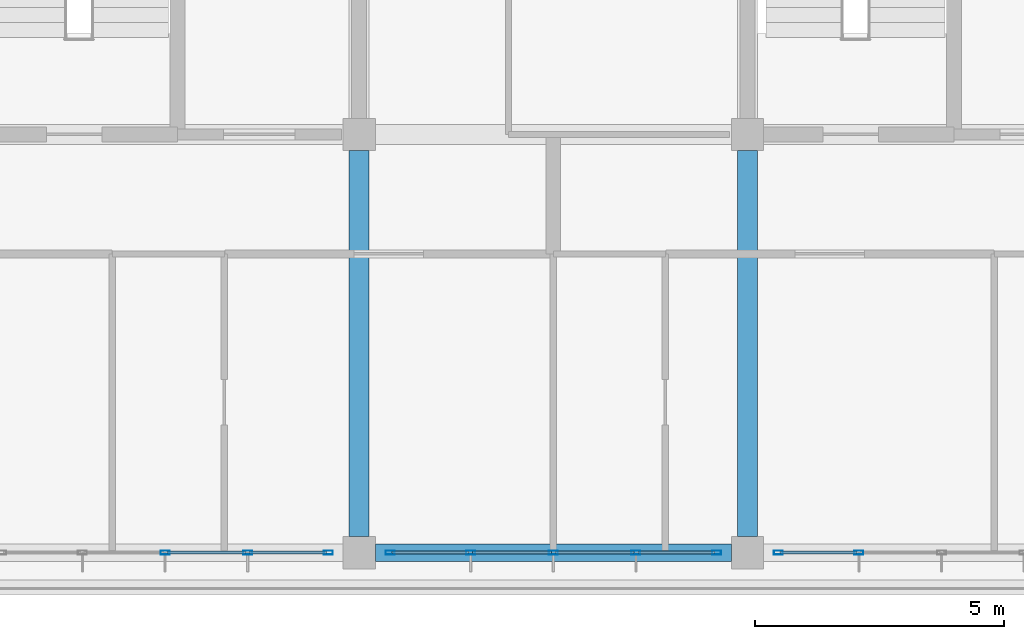
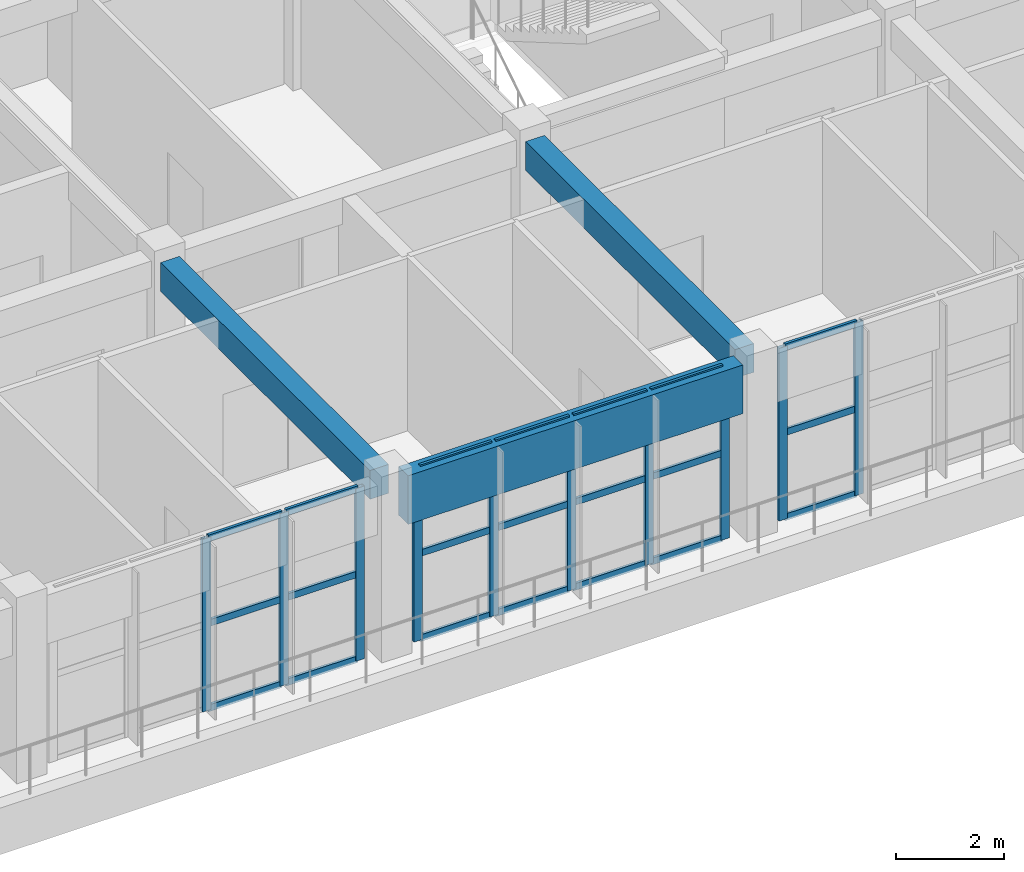
# One storey, part 15 of 57: 31 members, 3 beams, 3 elements without a shape of their own.
"""IFC4 building model written with IfcOpenShell, lengths in metres."""

from ifc_helpers import new_model, si_unit, direction, frame, origin, origin_2d, place, context, subcontext, project, spatial, rectangle, hollow_rectangle, extrude, material, layer, layer_set, material_profile, profile_set, type_object, element, aggregate, save


model = new_model("IFC4")

# Units and contexts
model_context = context("Model", 3, precision=1e-05, world=origin(), true_north=direction((0.0, 1.0)))
body_context = subcontext(model_context, "Body", "Model", "MODEL_VIEW")
ifc_project = project(units=[si_unit("LENGTHUNIT", "METRE"), si_unit("AREAUNIT", "SQUARE_METRE"), si_unit("VOLUMEUNIT", "CUBIC_METRE"), si_unit("PLANEANGLEUNIT", "RADIAN"), si_unit("MASSUNIT", "GRAM", prefix="KILO")], contexts=[model_context])

# Site, building, storey
site_placement = place(None, origin())
site = spatial("IfcSite", under=ifc_project, at=site_placement, CompositionType="ELEMENT")
building_placement = place(site_placement, origin())
building = spatial("IfcBuilding", under=site, at=building_placement, Name="Zizhar Promenade General Hospital", CompositionType="ELEMENT")
storey_placement = place(building_placement, frame((0.0, 0.0, 22.199951171875)))
storey = spatial("IfcBuildingStorey", under=building, at=storey_placement, Name="L05", CompositionType="ELEMENT", Elevation=22.199951171875)

# Beams
ifc_material_1 = material(Name="Precast concrete C40/50", Category="concrete")
ifc_material_profile_1 = material_profile(ifc_material_1, rectangle(XDim=0.35009765625, YDim=1.10009765625, at=origin_2d()))
ifc_profile_set_1 = profile_set([ifc_material_profile_1], Name="Precast concrete C40/50")
beam_type_1 = type_object("IfcBeamType", Name="BM-PC-BAND1100", PredefinedType="SPANDREL", material=ifc_profile_set_1)
beam_placement = place(storey_placement, frame((70.52490234375, 0.0, 3.360107421875), z_axis=(1.0, 0.0, 0.0), x_axis=(0.0, 1.0, 0.0)))
element("IfcBeam", 1, at=beam_placement, inside=storey, type_object=beam_type_1, Name="Grid Beam X L05 (9-0)", PredefinedType="SPANDREL", context=body_context, shape_type="SweptSolid", body=[
    extrude(rectangle(XDim=0.35009765625, YDim=1.10009765625, at=origin_2d()), origin(), (0.0, 0.0, 1.0), 7.150146484375),
])
ifc_material_2 = material(Name="Concrete C35/45", Category="concrete")
ifc_material_profile_2 = material_profile(ifc_material_2, rectangle(XDim=0.39990234375, YDim=0.64990234375, at=origin_2d()))
ifc_profile_set_2 = profile_set([ifc_material_profile_2], Name="Concrete C35/45")
beam_type_2 = type_object("IfcBeamType", Name="BM-RC-400x650", PredefinedType="BEAM", material=ifc_profile_set_2)
for number, where, z_axis, x_axis, name in (
    (2, (70.199951171875, 0.324951171875, 3.5849609375), (0.0, 1.0, 0.0), (-1.0, 0.0, 0.0), "Grid Beam Y L05 (9-0)"),
    (3, (78.0, 0.324951171875, 3.5849609375), (0.0, 1.0, 0.0), (-1.0, 0.0, 0.0), "Grid Beam Y L05 (10-0)"),
):
    element("IfcBeam", number, at=place(storey_placement, frame(where, z_axis=z_axis, x_axis=x_axis)), inside=storey, type_object=beam_type_2, Name=name, PredefinedType="BEAM", context=body_context, shape_type="SweptSolid", body=[
        extrude(rectangle(XDim=0.39990234375, YDim=0.64990234375, at=origin_2d()), origin(), (0.0, 0.0, 1.0), 7.75),
    ])

# Curtain wall, members
ifc_material_3 = material(Name="Anodised aluminium 6063-T6 and low-E glass", Category="aluminium")
ifc_layer = layer(ifc_material_3, 0.159912109375)
ifc_layer_set = layer_set([ifc_layer], Name="Anodised aluminium 6063-T6 and low-E glass")
curtain_wall_type = type_object("IfcCurtainWallType", Name="CW-WARD-RIB", PredefinedType="NOTDEFINED", material=ifc_layer_set)
curtain_wall_1_placement = place(storey_placement, origin())
curtain_wall_1 = element("IfcCurtainWall", 4, at=curtain_wall_1_placement, inside=storey, type_object=curtain_wall_type, Name="Ward Ribbon Curtain Wall L05-17-4", PredefinedType="NOTDEFINED")
ifc_material_4 = material(Name="Anodised aluminium 6063-T6", Category="aluminium")
ifc_material_profile_3 = material_profile(ifc_material_4, hollow_rectangle(XDim=0.080078125, YDim=0.179931640625, WallThickness=0.0048828125, at=origin_2d()))
ifc_profile_set_3 = profile_set([ifc_material_profile_3], Name="Anodised aluminium 6063-T6")
member_type_1 = type_object("IfcMemberType", Name="CWM-ALU-180x80", PredefinedType="MULLION", material=ifc_profile_set_3)
member_1_placement = place(storey_placement, frame((80.239990234375, 0.0, 0.0), z_axis=(0.0, 0.0, 1.0), x_axis=(0.0, -1.0, 0.0)))
member_1 = element("IfcMember", 5, at=member_1_placement, type_object=member_type_1, Name="CW-13 mullion 4", PredefinedType="MULLION", context=body_context, shape_type="SweptSolid", body=[
    extrude(hollow_rectangle(XDim=0.080078125, YDim=0.179931640625, WallThickness=0.0048828125, at=origin_2d()), origin(), (0.0, 0.0, 1.0), 3.900146484375),
])
member_2_placement = place(storey_placement, frame((78.6201171875, 0.0, 0.0), z_axis=(0.0, 0.0, 1.0), x_axis=(0.0, -1.0, 0.0)))
member_2 = element("IfcMember", 6, at=member_2_placement, type_object=member_type_1, Name="CW-13 mullion 5", PredefinedType="MULLION", context=body_context, shape_type="SweptSolid", body=[
    extrude(hollow_rectangle(XDim=0.080078125, YDim=0.179931640625, WallThickness=0.0048828125, at=origin_2d()), origin(), (0.0, 0.0, 1.0), 3.900146484375),
])

curtain_wall_2_placement = place(storey_placement, origin())
curtain_wall_2 = element("IfcCurtainWall", 7, at=curtain_wall_2_placement, inside=storey, type_object=curtain_wall_type, Name="Ward Ribbon Curtain Wall L05-17-5", PredefinedType="NOTDEFINED")
member_3_placement = place(storey_placement, frame((77.3798828125, 0.0, 0.0), z_axis=(0.0, 0.0, 1.0), x_axis=(0.0, -1.0, 0.0)))
member_3 = element("IfcMember", 8, at=member_3_placement, type_object=member_type_1, Name="CW-13 mullion 1", PredefinedType="MULLION", context=body_context, shape_type="SweptSolid", body=[
    extrude(hollow_rectangle(XDim=0.080078125, YDim=0.179931640625, WallThickness=0.0048828125, at=origin_2d()), origin(), (0.0, 0.0, 1.0), 3.900146484375),
])
member_4_placement = place(storey_placement, frame((75.760009765625, 0.0, 0.0), z_axis=(0.0, 0.0, 1.0), x_axis=(0.0, -1.0, 0.0)))
member_4 = element("IfcMember", 9, at=member_4_placement, type_object=member_type_1, Name="CW-13 mullion 2", PredefinedType="MULLION", context=body_context, shape_type="SweptSolid", body=[
    extrude(hollow_rectangle(XDim=0.080078125, YDim=0.179931640625, WallThickness=0.0048828125, at=origin_2d()), origin(), (0.0, 0.0, 1.0), 3.900146484375),
])
member_5_placement = place(storey_placement, frame((74.10009765625, 0.0, 0.0), z_axis=(0.0, 0.0, 1.0), x_axis=(0.0, -1.0, 0.0)))
member_5 = element("IfcMember", 10, at=member_5_placement, type_object=member_type_1, Name="CW-13 mullion 3", PredefinedType="MULLION", context=body_context, shape_type="SweptSolid", body=[
    extrude(hollow_rectangle(XDim=0.080078125, YDim=0.179931640625, WallThickness=0.0048828125, at=origin_2d()), origin(), (0.0, 0.0, 1.0), 3.900146484375),
])
member_6_placement = place(storey_placement, frame((72.43994140625, 0.0, 0.0), z_axis=(0.0, 0.0, 1.0), x_axis=(0.0, -1.0, 0.0)))
member_6 = element("IfcMember", 11, at=member_6_placement, type_object=member_type_1, Name="CW-13 mullion 4", PredefinedType="MULLION", context=body_context, shape_type="SweptSolid", body=[
    extrude(hollow_rectangle(XDim=0.080078125, YDim=0.179931640625, WallThickness=0.0048828125, at=origin_2d()), origin(), (0.0, 0.0, 1.0), 3.900146484375),
])
member_7_placement = place(storey_placement, frame((70.820068359375, 0.0, 0.0), z_axis=(0.0, 0.0, 1.0), x_axis=(0.0, -1.0, 0.0)))
member_7 = element("IfcMember", 12, at=member_7_placement, type_object=member_type_1, Name="CW-13 mullion 5", PredefinedType="MULLION", context=body_context, shape_type="SweptSolid", body=[
    extrude(hollow_rectangle(XDim=0.080078125, YDim=0.179931640625, WallThickness=0.0048828125, at=origin_2d()), origin(), (0.0, 0.0, 1.0), 3.900146484375),
])

curtain_wall_3_placement = place(storey_placement, origin())
curtain_wall_3 = element("IfcCurtainWall", 13, at=curtain_wall_3_placement, inside=storey, type_object=curtain_wall_type, Name="Ward Ribbon Curtain Wall L05-17-6", PredefinedType="NOTDEFINED")
member_8_placement = place(storey_placement, frame((69.580078125, 0.0, 0.0), z_axis=(0.0, 0.0, 1.0), x_axis=(0.0, -1.0, 0.0)))
member_8 = element("IfcMember", 14, at=member_8_placement, type_object=member_type_1, Name="CW-13 mullion 1", PredefinedType="MULLION", context=body_context, shape_type="SweptSolid", body=[
    extrude(hollow_rectangle(XDim=0.080078125, YDim=0.179931640625, WallThickness=0.0048828125, at=origin_2d()), origin(), (0.0, 0.0, 1.0), 3.900146484375),
])
member_9_placement = place(storey_placement, frame((67.9599609375, 0.0, 0.0), z_axis=(0.0, 0.0, 1.0), x_axis=(0.0, -1.0, 0.0)))
member_9 = element("IfcMember", 15, at=member_9_placement, type_object=member_type_1, Name="CW-13 mullion 2", PredefinedType="MULLION", context=body_context, shape_type="SweptSolid", body=[
    extrude(hollow_rectangle(XDim=0.080078125, YDim=0.179931640625, WallThickness=0.0048828125, at=origin_2d()), origin(), (0.0, 0.0, 1.0), 3.900146484375),
])
member_10_placement = place(storey_placement, frame((66.300048828125, 0.0, 0.0), z_axis=(0.0, 0.0, 1.0), x_axis=(0.0, -1.0, 0.0)))
member_10 = element("IfcMember", 16, at=member_10_placement, type_object=member_type_1, Name="CW-13 mullion 3", PredefinedType="MULLION", context=body_context, shape_type="SweptSolid", body=[
    extrude(hollow_rectangle(XDim=0.080078125, YDim=0.179931640625, WallThickness=0.0048828125, at=origin_2d()), origin(), (0.0, 0.0, 1.0), 3.900146484375),
])

# Member
ifc_material_5 = material(Name="Anodised aluminium 6063-T6", Category="aluminium")
ifc_material_profile_4 = material_profile(ifc_material_5, hollow_rectangle(XDim=0.06005859375, YDim=0.14990234375, WallThickness=0.00390625, at=origin_2d()))
ifc_profile_set_4 = profile_set([ifc_material_profile_4], Name="Anodised aluminium 6063-T6")
member_type_2 = type_object("IfcMemberType", Name="CWT-ALU-150x60", PredefinedType="USERDEFINED", material=ifc_profile_set_4)
member_11_placement = place(storey_placement, frame((80.199951171875, 0.0, 0.030029296875), z_axis=(-1.0, 0.0, 0.0), x_axis=(0.0, -1.0, 0.0)))
member_11 = element("IfcMember", 17, at=member_11_placement, type_object=member_type_2, Name="CW-13 transom 4.1", ObjectType="TRANSOM", PredefinedType="USERDEFINED", context=body_context, shape_type="SweptSolid", body=[
    extrude(hollow_rectangle(XDim=0.06005859375, YDim=0.14990234375, WallThickness=0.00390625, at=origin_2d()), origin(), (0.0, 0.0, 1.0), 1.5400390625),
])

member_12_placement = place(storey_placement, frame((80.199951171875, 0.0, 1.949951171875), z_axis=(-1.0, 0.0, 0.0), x_axis=(0.0, -1.0, 0.0)))
member_12 = element("IfcMember", 18, at=member_12_placement, type_object=member_type_2, Name="CW-13 transom 4.2", ObjectType="TRANSOM", PredefinedType="USERDEFINED", context=body_context, shape_type="SweptSolid", body=[
    extrude(hollow_rectangle(XDim=0.06005859375, YDim=0.14990234375, WallThickness=0.00390625, at=origin_2d()), origin(), (0.0, 0.0, 1.0), 1.5400390625),
])

member_13_placement = place(storey_placement, frame((80.199951171875, 0.0, 3.8701171875), z_axis=(-1.0, 0.0, 0.0), x_axis=(0.0, -1.0, 0.0)))
member_13 = element("IfcMember", 19, at=member_13_placement, type_object=member_type_2, Name="CW-13 transom 4.3", ObjectType="TRANSOM", PredefinedType="USERDEFINED", context=body_context, shape_type="SweptSolid", body=[
    extrude(hollow_rectangle(XDim=0.06005859375, YDim=0.14990234375, WallThickness=0.00390625, at=origin_2d()), origin(), (0.0, 0.0, 1.0), 1.5400390625),
])

aggregate(curtain_wall_1, [member_1, member_2, member_11, member_12, member_13])

member_14_placement = place(storey_placement, frame((77.340087890625, 0.0, 0.030029296875), z_axis=(-1.0, 0.0, 0.0), x_axis=(0.0, -1.0, 0.0)))
member_14 = element("IfcMember", 20, at=member_14_placement, type_object=member_type_2, Name="CW-13 transom 1.1", ObjectType="TRANSOM", PredefinedType="USERDEFINED", context=body_context, shape_type="SweptSolid", body=[
    extrude(hollow_rectangle(XDim=0.06005859375, YDim=0.14990234375, WallThickness=0.00390625, at=origin_2d()), origin(), (0.0, 0.0, 1.0), 1.5400390625),
])

member_15_placement = place(storey_placement, frame((77.340087890625, 0.0, 1.949951171875), z_axis=(-1.0, 0.0, 0.0), x_axis=(0.0, -1.0, 0.0)))
member_15 = element("IfcMember", 21, at=member_15_placement, type_object=member_type_2, Name="CW-13 transom 1.2", ObjectType="TRANSOM", PredefinedType="USERDEFINED", context=body_context, shape_type="SweptSolid", body=[
    extrude(hollow_rectangle(XDim=0.06005859375, YDim=0.14990234375, WallThickness=0.00390625, at=origin_2d()), origin(), (0.0, 0.0, 1.0), 1.5400390625),
])

member_16_placement = place(storey_placement, frame((77.340087890625, 0.0, 3.8701171875), z_axis=(-1.0, 0.0, 0.0), x_axis=(0.0, -1.0, 0.0)))
member_16 = element("IfcMember", 22, at=member_16_placement, type_object=member_type_2, Name="CW-13 transom 1.3", ObjectType="TRANSOM", PredefinedType="USERDEFINED", context=body_context, shape_type="SweptSolid", body=[
    extrude(hollow_rectangle(XDim=0.06005859375, YDim=0.14990234375, WallThickness=0.00390625, at=origin_2d()), origin(), (0.0, 0.0, 1.0), 1.5400390625),
])

member_17_placement = place(storey_placement, frame((75.719970703125, 0.0, 0.030029296875), z_axis=(-1.0, 0.0, 0.0), x_axis=(0.0, -1.0, 0.0)))
member_17 = element("IfcMember", 23, at=member_17_placement, type_object=member_type_2, Name="CW-13 transom 2.1", ObjectType="TRANSOM", PredefinedType="USERDEFINED", context=body_context, shape_type="SweptSolid", body=[
    extrude(hollow_rectangle(XDim=0.06005859375, YDim=0.14990234375, WallThickness=0.00390625, at=origin_2d()), origin(), (0.0, 0.0, 1.0), 1.580078125),
])

member_18_placement = place(storey_placement, frame((75.719970703125, 0.0, 1.949951171875), z_axis=(-1.0, 0.0, 0.0), x_axis=(0.0, -1.0, 0.0)))
member_18 = element("IfcMember", 24, at=member_18_placement, type_object=member_type_2, Name="CW-13 transom 2.2", ObjectType="TRANSOM", PredefinedType="USERDEFINED", context=body_context, shape_type="SweptSolid", body=[
    extrude(hollow_rectangle(XDim=0.06005859375, YDim=0.14990234375, WallThickness=0.00390625, at=origin_2d()), origin(), (0.0, 0.0, 1.0), 1.580078125),
])

member_19_placement = place(storey_placement, frame((75.719970703125, 0.0, 3.8701171875), z_axis=(-1.0, 0.0, 0.0), x_axis=(0.0, -1.0, 0.0)))
member_19 = element("IfcMember", 25, at=member_19_placement, type_object=member_type_2, Name="CW-13 transom 2.3", ObjectType="TRANSOM", PredefinedType="USERDEFINED", context=body_context, shape_type="SweptSolid", body=[
    extrude(hollow_rectangle(XDim=0.06005859375, YDim=0.14990234375, WallThickness=0.00390625, at=origin_2d()), origin(), (0.0, 0.0, 1.0), 1.580078125),
])

member_20_placement = place(storey_placement, frame((74.06005859375, 0.0, 0.030029296875), z_axis=(-1.0, 0.0, 0.0), x_axis=(0.0, -1.0, 0.0)))
member_20 = element("IfcMember", 26, at=member_20_placement, type_object=member_type_2, Name="CW-13 transom 3.1", ObjectType="TRANSOM", PredefinedType="USERDEFINED", context=body_context, shape_type="SweptSolid", body=[
    extrude(hollow_rectangle(XDim=0.06005859375, YDim=0.14990234375, WallThickness=0.00390625, at=origin_2d()), origin(), (0.0, 0.0, 1.0), 1.580078125),
])

member_21_placement = place(storey_placement, frame((74.06005859375, 0.0, 1.949951171875), z_axis=(-1.0, 0.0, 0.0), x_axis=(0.0, -1.0, 0.0)))
member_21 = element("IfcMember", 27, at=member_21_placement, type_object=member_type_2, Name="CW-13 transom 3.2", ObjectType="TRANSOM", PredefinedType="USERDEFINED", context=body_context, shape_type="SweptSolid", body=[
    extrude(hollow_rectangle(XDim=0.06005859375, YDim=0.14990234375, WallThickness=0.00390625, at=origin_2d()), origin(), (0.0, 0.0, 1.0), 1.580078125),
])

member_22_placement = place(storey_placement, frame((74.06005859375, 0.0, 3.8701171875), z_axis=(-1.0, 0.0, 0.0), x_axis=(0.0, -1.0, 0.0)))
member_22 = element("IfcMember", 28, at=member_22_placement, type_object=member_type_2, Name="CW-13 transom 3.3", ObjectType="TRANSOM", PredefinedType="USERDEFINED", context=body_context, shape_type="SweptSolid", body=[
    extrude(hollow_rectangle(XDim=0.06005859375, YDim=0.14990234375, WallThickness=0.00390625, at=origin_2d()), origin(), (0.0, 0.0, 1.0), 1.580078125),
])

member_23_placement = place(storey_placement, frame((72.39990234375, 0.0, 0.030029296875), z_axis=(-1.0, 0.0, 0.0), x_axis=(0.0, -1.0, 0.0)))
member_23 = element("IfcMember", 29, at=member_23_placement, type_object=member_type_2, Name="CW-13 transom 4.1", ObjectType="TRANSOM", PredefinedType="USERDEFINED", context=body_context, shape_type="SweptSolid", body=[
    extrude(hollow_rectangle(XDim=0.06005859375, YDim=0.14990234375, WallThickness=0.00390625, at=origin_2d()), origin(), (0.0, 0.0, 1.0), 1.539794921875),
])

member_24_placement = place(storey_placement, frame((72.39990234375, 0.0, 1.949951171875), z_axis=(-1.0, 0.0, 0.0), x_axis=(0.0, -1.0, 0.0)))
member_24 = element("IfcMember", 30, at=member_24_placement, type_object=member_type_2, Name="CW-13 transom 4.2", ObjectType="TRANSOM", PredefinedType="USERDEFINED", context=body_context, shape_type="SweptSolid", body=[
    extrude(hollow_rectangle(XDim=0.06005859375, YDim=0.14990234375, WallThickness=0.00390625, at=origin_2d()), origin(), (0.0, 0.0, 1.0), 1.539794921875),
])

member_25_placement = place(storey_placement, frame((72.39990234375, 0.0, 3.8701171875), z_axis=(-1.0, 0.0, 0.0), x_axis=(0.0, -1.0, 0.0)))
member_25 = element("IfcMember", 31, at=member_25_placement, type_object=member_type_2, Name="CW-13 transom 4.3", ObjectType="TRANSOM", PredefinedType="USERDEFINED", context=body_context, shape_type="SweptSolid", body=[
    extrude(hollow_rectangle(XDim=0.06005859375, YDim=0.14990234375, WallThickness=0.00390625, at=origin_2d()), origin(), (0.0, 0.0, 1.0), 1.539794921875),
])

aggregate(curtain_wall_2, [member_3, member_4, member_5, member_6, member_7, member_14, member_15, member_16, member_17, member_18, member_19, member_20, member_21, member_22, member_23, member_24, member_25])

member_26_placement = place(storey_placement, frame((69.5400390625, 0.0, 0.030029296875), z_axis=(-1.0, 0.0, 0.0), x_axis=(0.0, -1.0, 0.0)))
member_26 = element("IfcMember", 32, at=member_26_placement, type_object=member_type_2, Name="CW-13 transom 1.1", ObjectType="TRANSOM", PredefinedType="USERDEFINED", context=body_context, shape_type="SweptSolid", body=[
    extrude(hollow_rectangle(XDim=0.06005859375, YDim=0.14990234375, WallThickness=0.00390625, at=origin_2d()), origin(), (0.0, 0.0, 1.0), 1.5400390625),
])

member_27_placement = place(storey_placement, frame((69.5400390625, 0.0, 1.949951171875), z_axis=(-1.0, 0.0, 0.0), x_axis=(0.0, -1.0, 0.0)))
member_27 = element("IfcMember", 33, at=member_27_placement, type_object=member_type_2, Name="CW-13 transom 1.2", ObjectType="TRANSOM", PredefinedType="USERDEFINED", context=body_context, shape_type="SweptSolid", body=[
    extrude(hollow_rectangle(XDim=0.06005859375, YDim=0.14990234375, WallThickness=0.00390625, at=origin_2d()), origin(), (0.0, 0.0, 1.0), 1.5400390625),
])

member_28_placement = place(storey_placement, frame((69.5400390625, 0.0, 3.8701171875), z_axis=(-1.0, 0.0, 0.0), x_axis=(0.0, -1.0, 0.0)))
member_28 = element("IfcMember", 34, at=member_28_placement, type_object=member_type_2, Name="CW-13 transom 1.3", ObjectType="TRANSOM", PredefinedType="USERDEFINED", context=body_context, shape_type="SweptSolid", body=[
    extrude(hollow_rectangle(XDim=0.06005859375, YDim=0.14990234375, WallThickness=0.00390625, at=origin_2d()), origin(), (0.0, 0.0, 1.0), 1.5400390625),
])

member_29_placement = place(storey_placement, frame((67.919921875, 0.0, 0.030029296875), z_axis=(-1.0, 0.0, 0.0), x_axis=(0.0, -1.0, 0.0)))
member_29 = element("IfcMember", 35, at=member_29_placement, type_object=member_type_2, Name="CW-13 transom 2.1", ObjectType="TRANSOM", PredefinedType="USERDEFINED", context=body_context, shape_type="SweptSolid", body=[
    extrude(hollow_rectangle(XDim=0.06005859375, YDim=0.14990234375, WallThickness=0.00390625, at=origin_2d()), origin(), (0.0, 0.0, 1.0), 1.579833984375),
])

member_30_placement = place(storey_placement, frame((67.919921875, 0.0, 1.949951171875), z_axis=(-1.0, 0.0, 0.0), x_axis=(0.0, -1.0, 0.0)))
member_30 = element("IfcMember", 36, at=member_30_placement, type_object=member_type_2, Name="CW-13 transom 2.2", ObjectType="TRANSOM", PredefinedType="USERDEFINED", context=body_context, shape_type="SweptSolid", body=[
    extrude(hollow_rectangle(XDim=0.06005859375, YDim=0.14990234375, WallThickness=0.00390625, at=origin_2d()), origin(), (0.0, 0.0, 1.0), 1.579833984375),
])

member_31_placement = place(storey_placement, frame((67.919921875, 0.0, 3.8701171875), z_axis=(-1.0, 0.0, 0.0), x_axis=(0.0, -1.0, 0.0)))
member_31 = element("IfcMember", 37, at=member_31_placement, type_object=member_type_2, Name="CW-13 transom 2.3", ObjectType="TRANSOM", PredefinedType="USERDEFINED", context=body_context, shape_type="SweptSolid", body=[
    extrude(hollow_rectangle(XDim=0.06005859375, YDim=0.14990234375, WallThickness=0.00390625, at=origin_2d()), origin(), (0.0, 0.0, 1.0), 1.579833984375),
])

aggregate(curtain_wall_3, [member_8, member_9, member_10, member_26, member_27, member_28, member_29, member_30, member_31])

save(model, "model.ifc")
